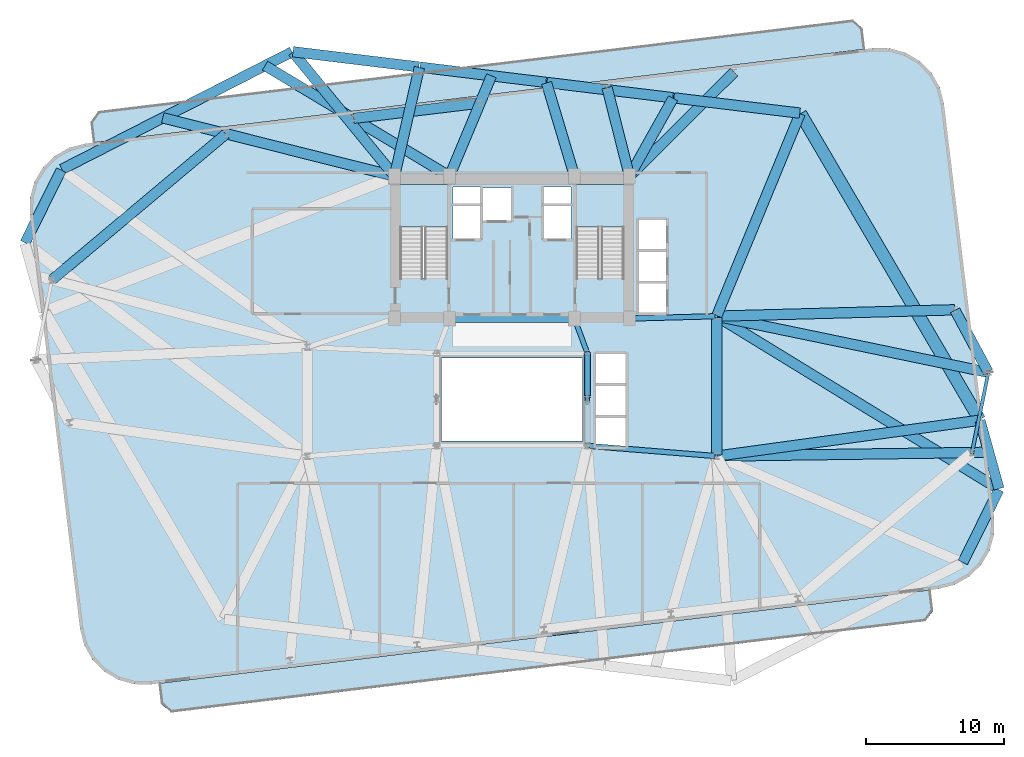
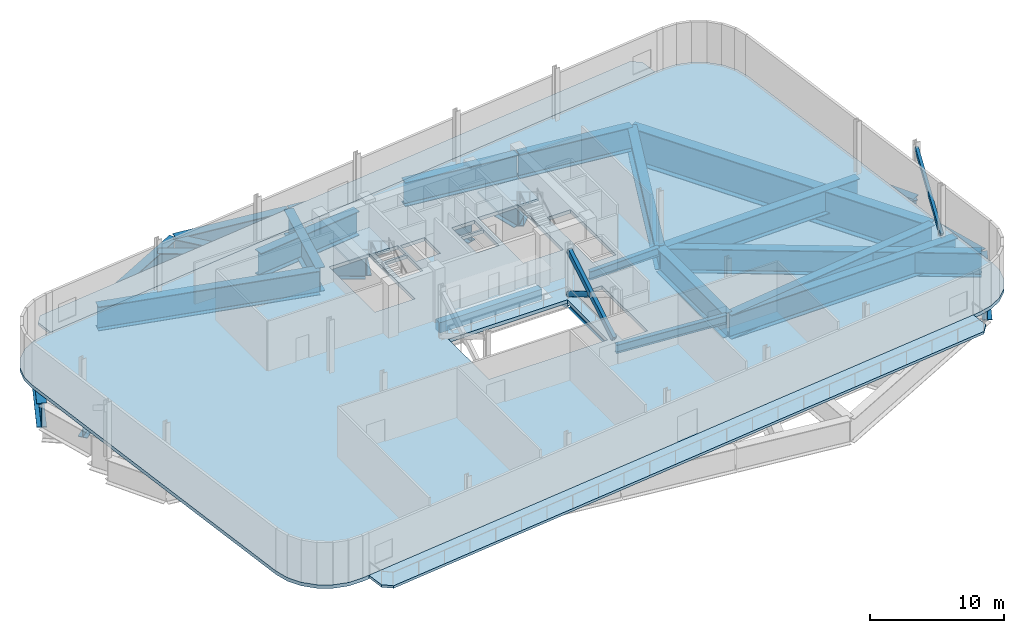
# One storey, part 2 of 11: 33 beams, 5 slabs, 3 members, 2 elements without a shape of their own.
"""IFC4 building model written with IfcOpenShell, lengths in metres."""

import ifcopenshell
import ifcopenshell.guid

model = None  # the IFC model being written
_history = None  # IfcOwnerHistory: only IFC2X3 demands one
_inside = {}  # id of a spatial element -> (the spatial element, [elements in it])
_under = {}  # id of a project, library or spatial element -> (it, [spatial elements below it])
_declared = {}  # id of a project -> (the project, [libraries it declares])
_typed = {}  # id of a type object -> (the type object, [elements of that type])
_made_of = {}  # id of a material, layer set ... -> (it, [elements and type objects made of it])


def new_model(schema):
    """Start an empty IFC model of exactly this schema.

    Asked for "IFC4X3", IfcOpenShell would pick the latest addendum, in which some entities
    have other attributes; the version numbers below select the first issue.
    IFC2X3 requires an IfcOwnerHistory on every rooted entity: one is made here for all.
    """
    global model, _history
    if schema == "IFC4X3":
        model = ifcopenshell.file(schema_version=(4, 3, 0, 0))
    else:
        model = ifcopenshell.file(schema=schema)
    _inside.clear()
    _under.clear()
    _declared.clear()
    _typed.clear()
    _made_of.clear()
    _history = None
    if model.schema == "IFC2X3":
        org = make("IfcOrganization", Name="unknown")
        user = make(
            "IfcPersonAndOrganization",
            ThePerson=make("IfcPerson", FamilyName="unknown"),
            TheOrganization=org,
        )
        app = make(
            "IfcApplication",
            ApplicationDeveloper=org,
            Version="unknown",
            ApplicationFullName="unknown",
            ApplicationIdentifier="unknown",
        )
        _history = make(
            "IfcOwnerHistory",
            OwningUser=user,
            OwningApplication=app,
            ChangeAction="ADDED",
            CreationDate=0,
        )
    return model


def make(cls, **values):
    """One entity of the class cls with the attributes given. An attribute that is None is left unset."""
    return model.create_entity(
        cls, **{name: value for name, value in values.items() if value is not None}
    )


def rooted(cls, **values):
    """An entity with a GlobalId (a new one), such as an element, a storey or a relation."""
    return make(cls, GlobalId=ifcopenshell.guid.new(), OwnerHistory=_history, **values)


def si_unit(unit_type, name, prefix=None):
    """IfcSIUnit, for example si_unit("LENGTHUNIT", "METRE", prefix="MILLI")."""
    return make("IfcSIUnit", UnitType=unit_type, Prefix=prefix, Name=name)


def assignment(units):
    """IfcUnitAssignment: the units of a project."""
    return None if units is None else make("IfcUnitAssignment", Units=units)


def point(xyz):
    """IfcCartesianPoint."""
    return None if xyz is None else make("IfcCartesianPoint", Coordinates=xyz)


def direction(xyz):
    """IfcDirection."""
    return None if xyz is None else make("IfcDirection", DirectionRatios=xyz)


def frame(location, z_axis=None, x_axis=None):
    """IfcAxis2Placement3D, a coordinate frame: its origin and axes. An axis left out is left unset."""
    return make(
        "IfcAxis2Placement3D",
        Location=point(location),
        Axis=direction(z_axis),
        RefDirection=direction(x_axis),
    )


def frame_2d(location, x_axis=None):
    """IfcAxis2Placement2D, a coordinate frame in the plane: its origin and x axis."""
    return make(
        "IfcAxis2Placement2D", Location=point(location), RefDirection=direction(x_axis)
    )


def origin():
    """The frame at (0, 0, 0) with its axes left unset."""
    return frame((0.0, 0.0, 0.0))


def origin_2d():
    """The frame at (0, 0) in the plane with its x axis left unset."""
    return frame_2d((0.0, 0.0))


def place(relative_to, where):
    """IfcLocalPlacement: puts the frame where relative to a parent placement (None: the world)."""
    return make(
        "IfcLocalPlacement", PlacementRelTo=relative_to, RelativePlacement=where
    )


def context(
    kind, dimensions, precision=None, world=None, true_north=None, identifier=None
):
    """IfcGeometricRepresentationContext, for example the 3D "Model" context."""
    return make(
        "IfcGeometricRepresentationContext",
        ContextIdentifier=identifier,
        ContextType=kind,
        CoordinateSpaceDimension=dimensions,
        Precision=precision,
        WorldCoordinateSystem=world,
        TrueNorth=true_north,
    )


def subcontext(parent, identifier, kind, view, scale=None):
    """IfcGeometricRepresentationSubContext, for example "Body" below "Model"."""
    return make(
        "IfcGeometricRepresentationSubContext",
        ContextIdentifier=identifier,
        ContextType=kind,
        ParentContext=parent,
        TargetScale=scale,
        TargetView=view,
    )


def project(units=None, contexts=None):
    """IfcProject with its units and contexts."""
    return rooted(
        "IfcProject",
        Name="project",
        RepresentationContexts=contexts,
        UnitsInContext=assignment(units),
    )


def spatial(cls, under=None, at=None, **own):
    """A site, building, storey or space (cls), placed at a placement, below another one or the project."""
    s = rooted(cls, ObjectPlacement=at, **own)
    if under is not None:
        _under.setdefault(under.id(), (under, []))[1].append(s)
    return s


def polyline(points):
    """IfcPolyline through the points."""
    return make("IfcPolyline", Points=[point(p) for p in points])


def profile(cls, at=None, kind="AREA", **sizes):
    """A parametric profile (cls). Its sizes go by their IFC names, for example OverallWidth=200.0."""
    return make(cls, ProfileType=kind, Position=at, **sizes)


def rectangle(**sizes):
    """IfcRectangleProfileDef."""
    return profile("IfcRectangleProfileDef", **sizes)


def hollow_rectangle(**sizes):
    """IfcRectangleHollowProfileDef."""
    return profile("IfcRectangleHollowProfileDef", **sizes)


def hollow_circle(**sizes):
    """IfcCircleHollowProfileDef."""
    return profile("IfcCircleHollowProfileDef", **sizes)


def i_section(**sizes):
    """IfcIShapeProfileDef."""
    return profile("IfcIShapeProfileDef", **sizes)


def outline(outer, holes=None, kind="AREA"):
    """IfcArbitraryClosedProfileDef: a profile drawn as a closed curve; with holes, ...WithVoids."""
    if holes is None:
        return make("IfcArbitraryClosedProfileDef", ProfileType=kind, OuterCurve=outer)
    return make(
        "IfcArbitraryProfileDefWithVoids",
        ProfileType=kind,
        OuterCurve=outer,
        InnerCurves=holes,
    )


def extrude(swept, where, along, depth):
    """IfcExtrudedAreaSolid: the profile swept, set in the frame where, extruded along a direction by depth."""
    return make(
        "IfcExtrudedAreaSolid",
        SweptArea=swept,
        Position=where,
        ExtrudedDirection=direction(along),
        Depth=depth,
    )


def shape(context_of_items, identifier, shape_type, items):
    """IfcShapeRepresentation: the items that make up one representation, for example the "Body"."""
    return make(
        "IfcShapeRepresentation",
        ContextOfItems=context_of_items,
        RepresentationIdentifier=identifier,
        RepresentationType=shape_type,
        Items=items,
    )


def material(Name=None, Category=None):
    """IfcMaterial."""
    return make("IfcMaterial", Name=Name, Category=Category)


def layer(
    of_material, thickness, ventilated=None, Name=None, Category=None, Priority=None
):
    """IfcMaterialLayer: one layer of a wall or slab, of a material (None: an air gap)."""
    return make(
        "IfcMaterialLayer",
        Material=of_material,
        LayerThickness=thickness,
        IsVentilated=ventilated,
        Name=Name,
        Category=Category,
        Priority=Priority,
    )


def layer_set(layers, Name=None):
    """IfcMaterialLayerSet."""
    return make("IfcMaterialLayerSet", MaterialLayers=layers, LayerSetName=Name)


def material_profile(
    of_material, cross_section, Name=None, Category=None, Priority=None
):
    """IfcMaterialProfile: a cross section and its material."""
    return make(
        "IfcMaterialProfile",
        Name=Name,
        Material=of_material,
        Profile=cross_section,
        Priority=Priority,
        Category=Category,
    )


def profile_set(profiles, Name=None, composite=None):
    """IfcMaterialProfileSet."""
    return make(
        "IfcMaterialProfileSet",
        Name=Name,
        MaterialProfiles=profiles,
        CompositeProfile=composite,
    )


def made_of(thing, what):
    """Note that an element or type object is made of a material, layer set ...; save() writes the relation."""
    if what is not None:
        _made_of.setdefault(what.id(), (what, []))[1].append(thing)
    return thing


def type_object(cls, material=None, **own):
    """A type object (cls), such as IfcWallType, which elements share."""
    return made_of(rooted(cls, **own), material)


def element(
    cls,
    number,
    at=None,
    inside=None,
    cuts=None,
    type_object=None,
    material=None,
    context=None,
    identifier="Body",
    shape_type=None,
    held_by="IfcProductDefinitionShape",
    body=None,
    shapes=None,
    **own,
):
    """One element of the class cls, such as IfcWall. Its Tag is "e" and its number.

    at: its placement. inside: the storey or other place that contains it. cuts: it is an
    opening in that element (IfcRelVoidsElement). A single representation is given by context,
    identifier, shape_type and body (its items); several are given by shapes. held_by: the class
    of the entity that holds the representations. save() writes the other relations.
    """
    e = rooted(cls, Tag="e%d" % number, ObjectPlacement=at, **own)
    if body is not None:
        shapes = [shape(context, identifier, shape_type, body)]
    if shapes is not None:
        e.Representation = make(held_by, Representations=shapes)
    if inside is not None:
        _inside.setdefault(inside.id(), (inside, []))[1].append(e)
    if cuts is not None:
        rooted(
            "IfcRelVoidsElement", RelatingBuildingElement=cuts, RelatedOpeningElement=e
        )
    if type_object is not None:
        _typed.setdefault(type_object.id(), (type_object, []))[1].append(e)
    return made_of(e, material)


def aggregate(whole, parts):
    """IfcRelAggregates: a whole, such as a stair, and the parts it consists of."""
    return rooted("IfcRelAggregates", RelatingObject=whole, RelatedObjects=parts)


def save(model, path):
    """Write the relations noted so far, then the file.

    IfcRelAggregates (storeys below a building ...), IfcRelContainedInSpatialStructure (elements
    in a storey), IfcRelDefinesByType, IfcRelAssociatesMaterial and IfcRelDeclares: one each for
    every whole, place, type object, material and project.
    """
    for whole, parts in _under.values():
        aggregate(whole, parts)
    for where, things in _inside.values():
        rooted(
            "IfcRelContainedInSpatialStructure",
            RelatedElements=things,
            RelatingStructure=where,
        )
    for kind, things in _typed.values():
        rooted("IfcRelDefinesByType", RelatedObjects=things, RelatingType=kind)
    for what, things in _made_of.values():
        rooted("IfcRelAssociatesMaterial", RelatedObjects=things, RelatingMaterial=what)
    for by, libraries in _declared.values():
        rooted("IfcRelDeclares", RelatingContext=by, RelatedDefinitions=libraries)
    model.write(path)


model = new_model("IFC4")

# Units and contexts
model_context = context("Model", 3, precision=1e-05, world=origin(), true_north=direction((0.0, 1.0)))
body_context = subcontext(model_context, "Body", "Model", "MODEL_VIEW")
ifc_project = project(units=[si_unit("LENGTHUNIT", "METRE"), si_unit("AREAUNIT", "SQUARE_METRE"), si_unit("VOLUMEUNIT", "CUBIC_METRE"), si_unit("PLANEANGLEUNIT", "RADIAN"), si_unit("MASSUNIT", "GRAM", prefix="KILO")], contexts=[model_context])

# Site, building, storey
site_placement = place(None, origin())
site = spatial("IfcSite", under=ifc_project, at=site_placement, CompositionType="ELEMENT")
building_placement = place(site_placement, origin())
building = spatial("IfcBuilding", under=site, at=building_placement, Name="Varnelok Gate Tower", CompositionType="ELEMENT")
storey_placement = place(building_placement, frame((0.0, 0.0, 162.39990234375)))
storey = spatial("IfcBuildingStorey", under=building, at=storey_placement, Name="L41", CompositionType="ELEMENT", Elevation=162.39990234375)

# Beams
ifc_material_1 = material(Name="Concrete C60/75", Category="concrete")
ifc_material_profile_1 = material_profile(ifc_material_1, rectangle(XDim=0.60009765625, YDim=0.949951171875, at=origin_2d()), Name="RC950X600")
ifc_profile_set_1 = profile_set([ifc_material_profile_1], Name="Concrete C60/75")
beam_type_1 = type_object("IfcBeamType", Name="BM-LNT-RC950", PredefinedType="LINTEL", material=ifc_profile_set_1)
beam_1_placement = place(storey_placement, frame((34.800048828125, 28.75, -0.794921875), z_axis=(1.0, 0.0, 0.0), x_axis=(0.0, 1.0, 0.0)))
element("IfcBeam", 1, at=beam_1_placement, inside=storey, type_object=beam_type_1, Name="L41 Core-Atrium Spine Beam 7", PredefinedType="LINTEL", context=body_context, shape_type="SweptSolid", body=[
    extrude(rectangle(XDim=0.60009765625, YDim=0.949951171875, at=origin_2d()), origin(), (0.0, 0.0, 1.0), 8.800048828125),
])
ifc_material_2 = material(Name="Structural Steel ASTM A992 Grade 50", Category="steel")
ifc_material_profile_2 = material_profile(ifc_material_2, i_section(OverallWidth=0.35498046875, OverallDepth=0.696044921875, WebThickness=0.015380859375, FlangeThickness=0.02490234375, FilletRadius=0.02001953125, at=origin_2d()), Name="W27X146")
ifc_profile_set_2 = profile_set([ifc_material_profile_2], Name="Structural Steel ASTM A992 Grade 50")
beam_type_2 = type_object("IfcBeamType", Name="BM-PRI-W27X146", PredefinedType="BEAM", material=ifc_profile_set_2)
beam_2_placement = place(storey_placement, frame((44.608154296875, 26.362548828125, -0.66796875), z_axis=(-0.348719329408, 0.937227202602, 0.0), x_axis=(-0.937227202602, -0.348719329408, 0.0)))
element("IfcBeam", 2, at=beam_2_placement, inside=storey, type_object=beam_type_2, Name="L41 Core-Atrium Spine Beam 13", PredefinedType="BEAM", context=body_context, shape_type="SweptSolid", body=[
    extrude(i_section(OverallWidth=0.35498046875, OverallDepth=0.696044921875, WebThickness=0.015380859375, FlangeThickness=0.02490234375, FilletRadius=0.02001953125, at=origin_2d()), origin(), (0.0, 0.0, 1.0), 2.42724609375),
])
ifc_material_profile_3 = material_profile(ifc_material_2, i_section(OverallWidth=0.381103515625, OverallDepth=0.77294921875, WebThickness=0.0166015625, FlangeThickness=0.027099609375, FilletRadius=0.02197265625, at=origin_2d()), Name="W30X173")
ifc_profile_set_3 = profile_set([ifc_material_profile_3], Name="Structural Steel ASTM A992 Grade 50")
beam_type_3 = type_object("IfcBeamType", Name="BM-PRI-W30X173", PredefinedType="BEAM", material=ifc_profile_set_3)
beam_3_placement = place(storey_placement, frame((44.76953125, 19.540283203125, -0.706298828125), z_axis=(0.996799206292, -0.07994587128, 0.0), x_axis=(0.07994587128, 0.996799206292, 0.0)))
element("IfcBeam", 3, at=beam_3_placement, inside=storey, type_object=beam_type_3, Name="L41 Core-Atrium Spine Beam 18", PredefinedType="BEAM", context=body_context, shape_type="SweptSolid", body=[
    extrude(i_section(OverallWidth=0.381103515625, OverallDepth=0.77294921875, WebThickness=0.0166015625, FlangeThickness=0.027099609375, FilletRadius=0.02197265625, at=origin_2d()), origin(), (0.0, 0.0, 1.0), 9.14013671875),
])
beam_4_placement = place(storey_placement, frame((47.820068359375, 28.753173828125, -0.706298828125), z_axis=(0.999635880609, 0.026983443053, 0.0), x_axis=(-0.026983443053, 0.999635880609, 0.0)))
element("IfcBeam", 4, at=beam_4_placement, inside=storey, type_object=beam_type_3, Name="L41 Core-Atrium Spine Beam 19", PredefinedType="BEAM", context=body_context, shape_type="SweptSolid", body=[
    extrude(i_section(OverallWidth=0.381103515625, OverallDepth=0.77294921875, WebThickness=0.0166015625, FlangeThickness=0.027099609375, FilletRadius=0.02197265625, at=origin_2d()), origin(), (0.0, 0.0, 1.0), 6.06201171875),
])
ifc_material_profile_4 = material_profile(ifc_material_2, i_section(OverallWidth=0.323974609375, OverallDepth=0.611083984375, WebThickness=0.0126953125, FlangeThickness=0.01904296875, FilletRadius=0.01806640625, at=origin_2d()), Name="W24X104")
ifc_profile_set_4 = profile_set([ifc_material_profile_4], Name="Structural Steel ASTM A992 Grade 50")
beam_type_4 = type_object("IfcBeamType", Name="BM-SPN-W24X104", PredefinedType="SPANDREL", material=ifc_profile_set_4)
beam_5_placement = place(storey_placement, frame((44.64990234375, 19.669921875, -0.62548828125), z_axis=(0.0, 1.0, 0.0), x_axis=(-1.0, 0.0, 0.0)))
element("IfcBeam", 5, at=beam_5_placement, inside=storey, type_object=beam_type_4, Name="L41 Core-Atrium Spine Beam 11", PredefinedType="SPANDREL", context=body_context, shape_type="SweptSolid", body=[
    extrude(i_section(OverallWidth=0.323974609375, OverallDepth=0.611083984375, WebThickness=0.0126953125, FlangeThickness=0.01904296875, FilletRadius=0.01806640625, at=origin_2d()), origin(), (0.0, 0.0, 1.0), 6.4599609375),
])
ifc_material_3 = material(Name="Structural Steel ASTM A572 Grade 50", Category="steel")
ifc_material_profile_5 = material_profile(ifc_material_3, i_section(OverallWidth=0.75, OverallDepth=2.199951171875, WebThickness=0.031982421875, FlangeThickness=0.06005859375, FilletRadius=0.028076171875, at=origin_2d()), Name="PG2200X750")
ifc_profile_set_5 = profile_set([ifc_material_profile_5], Name="Structural Steel ASTM A572 Grade 50")
beam_type_5 = type_object("IfcBeamType", Name="BM-TR-PG2200", PredefinedType="BEAM", material=ifc_profile_set_5)
beam_6_placement = place(storey_placement, frame((54.0, 18.8798828125, -1.419921875), z_axis=(0.0, 1.0, 0.0), x_axis=(-1.0, 0.0, 0.0)))
element("IfcBeam", 6, at=beam_6_placement, inside=storey, type_object=beam_type_5, Name="L41 Wing Spine Transfer Header E", PredefinedType="BEAM", context=body_context, shape_type="SweptSolid", body=[
    extrude(i_section(OverallWidth=0.75, OverallDepth=2.199951171875, WebThickness=0.031982421875, FlangeThickness=0.06005859375, FilletRadius=0.028076171875, at=origin_2d()), origin(), (0.0, 0.0, 1.0), 9.960205078125),
])
beam_7_placement = place(storey_placement, frame((71.810791015625, 11.110107421875, -1.419921875), z_axis=(0.444133044846, 0.895960846509, 0.0), x_axis=(-0.895960846509, 0.444133044846, 0.0)))
element("IfcBeam", 7, at=beam_7_placement, inside=storey, type_object=beam_type_5, Name="L41 Transfer Support Ring Girder 6", PredefinedType="BEAM", context=body_context, shape_type="SweptSolid", body=[
    extrude(i_section(OverallWidth=0.75, OverallDepth=2.199951171875, WebThickness=0.031982421875, FlangeThickness=0.06005859375, FilletRadius=0.028076171875, at=origin_2d()), origin(), (0.0, 0.0, 1.0), 5.86962890625),
])
beam_8_placement = place(storey_placement, frame((74.4248046875, 16.443359375, -1.419921875), z_axis=(-0.268346906402, 0.963322343676, 0.0), x_axis=(-0.963322343676, -0.268346906402, 0.0)))
element("IfcBeam", 8, at=beam_8_placement, inside=storey, type_object=beam_type_5, Name="L41 Transfer Support Ring Girder 7", PredefinedType="BEAM", context=body_context, shape_type="SweptSolid", body=[
    extrude(i_section(OverallWidth=0.75, OverallDepth=2.199951171875, WebThickness=0.031982421875, FlangeThickness=0.06005859375, FilletRadius=0.028076171875, at=origin_2d()), origin(), (0.0, 0.0, 1.0), 5.10400390625),
])
beam_9_placement = place(storey_placement, frame((60.0146484375, 43.608154296875, -1.419921875), z_axis=(-0.992733011019, 0.120337728218, 0.0), x_axis=(-0.120337728218, -0.992733011019, 0.0)))
element("IfcBeam", 9, at=beam_9_placement, inside=storey, type_object=beam_type_5, Name="L41 Transfer Support Ring Girder 9", PredefinedType="BEAM", context=body_context, shape_type="SweptSolid", body=[
    extrude(i_section(OverallWidth=0.75, OverallDepth=2.199951171875, WebThickness=0.031982421875, FlangeThickness=0.06005859375, FilletRadius=0.028076171875, at=origin_2d()), origin(), (0.0, 0.0, 1.0), 9.170166015625),
])
for number, where, z_axis, x_axis, name in (
    (10, (50.831787109375, 44.72119140625, -1.419921875), (-0.992729444446, 0.120367147219, 0.0), (-0.120367147219, -0.992729444446, 0.0), "L41 Transfer Support Ring Girder 10"),
    (11, (41.64892578125, 45.83447265625, -1.419921875), (-0.992732625466, 0.120340908818, 0.0), (-0.120340908818, -0.992732625466, 0.0), "L41 Transfer Support Ring Girder 11"),
):
    element("IfcBeam", number, at=place(storey_placement, frame(where, z_axis=z_axis, x_axis=x_axis)), inside=storey, type_object=beam_type_5, Name=name, PredefinedType="BEAM", context=body_context, shape_type="SweptSolid", body=[
        extrude(i_section(OverallWidth=0.75, OverallDepth=2.199951171875, WebThickness=0.031982421875, FlangeThickness=0.06005859375, FilletRadius=0.028076171875, at=origin_2d()), origin(), (0.0, 0.0, 1.0), 9.169921875),
    ])
beam_10_placement = place(storey_placement, frame((32.46630859375, 46.94775390625, -1.419921875), z_axis=(-0.992733011019, 0.120337728218, 0.0), x_axis=(-0.120337728218, -0.992733011019, 0.0)))
element("IfcBeam", 12, at=beam_10_placement, inside=storey, type_object=beam_type_5, Name="L41 Transfer Support Ring Girder 12", PredefinedType="BEAM", context=body_context, shape_type="SweptSolid", body=[
    extrude(i_section(OverallWidth=0.75, OverallDepth=2.199951171875, WebThickness=0.031982421875, FlangeThickness=0.06005859375, FilletRadius=0.028076171875, at=origin_2d()), origin(), (0.0, 0.0, 1.0), 9.170166015625),
])
beam_11_placement = place(storey_placement, frame((23.28759765625, 48.037841796875, -1.419921875), z_axis=(-0.890728514635, -0.454535711706, 0.0), x_axis=(0.454535711706, -0.890728514635, 0.0)))
element("IfcBeam", 13, at=beam_11_placement, inside=storey, type_object=beam_type_5, Name="L41 Transfer Support Ring Girder 13", PredefinedType="BEAM", context=body_context, shape_type="SweptSolid", body=[
    extrude(i_section(OverallWidth=0.75, OverallDepth=2.199951171875, WebThickness=0.031982421875, FlangeThickness=0.06005859375, FilletRadius=0.028076171875, at=origin_2d()), origin(), (0.0, 0.0, 1.0), 18.68701171875),
])
beam_12_placement = place(storey_placement, frame((6.58935546875, 39.489990234375, -1.419921875), z_axis=(-0.444166432753, -0.895944295152, 0.0), x_axis=(0.895944295152, -0.444166432753, 0.0)))
element("IfcBeam", 14, at=beam_12_placement, inside=storey, type_object=beam_type_5, Name="L41 Transfer Support Ring Girder 14", PredefinedType="BEAM", context=body_context, shape_type="SweptSolid", body=[
    extrude(i_section(OverallWidth=0.75, OverallDepth=2.199951171875, WebThickness=0.031982421875, FlangeThickness=0.06005859375, FilletRadius=0.028076171875, at=origin_2d()), origin(), (0.0, 0.0, 1.0), 5.869873046875),
])
beam_13_placement = place(storey_placement, frame((54.0341796875, 28.899169921875, -1.419921875), z_axis=(0.852785430649, -0.522261437666, 0.0), x_axis=(0.522261437666, 0.852785430649, 0.0)))
element("IfcBeam", 15, at=beam_13_placement, inside=storey, type_object=beam_type_5, Name="L41 Radial Transfer Main Girder 7", PredefinedType="BEAM", context=body_context, shape_type="SweptSolid", body=[
    extrude(i_section(OverallWidth=0.75, OverallDepth=2.199951171875, WebThickness=0.031982421875, FlangeThickness=0.06005859375, FilletRadius=0.028076171875, at=origin_2d()), origin(), (0.0, 0.0, 1.0), 23.88330078125),
])
beam_14_placement = place(storey_placement, frame((54.03955078125, 18.805419921875, -1.419921875), z_axis=(0.990818211395, 0.135200857867, 0.0), x_axis=(-0.135200857867, 0.990818211395, 0.0)))
element("IfcBeam", 16, at=beam_14_placement, inside=storey, type_object=beam_type_5, Name="L41 Radial Transfer Main Girder 8", PredefinedType="BEAM", context=body_context, shape_type="SweptSolid", body=[
    extrude(i_section(OverallWidth=0.75, OverallDepth=2.199951171875, WebThickness=0.031982421875, FlangeThickness=0.06005859375, FilletRadius=0.028076171875, at=origin_2d()), origin(), (0.0, 0.0, 1.0), 19.14111328125),
])
beam_15_placement = place(storey_placement, frame((54.01513671875, 28.95703125, -1.419921875), z_axis=(0.381198890405, 0.924493053491, 0.0), x_axis=(-0.924493053491, 0.381198890405, 0.0)))
element("IfcBeam", 17, at=beam_15_placement, inside=storey, type_object=beam_type_5, Name="L41 Radial Transfer Main Girder 9", PredefinedType="BEAM", context=body_context, shape_type="SweptSolid", body=[
    extrude(i_section(OverallWidth=0.75, OverallDepth=2.199951171875, WebThickness=0.031982421875, FlangeThickness=0.06005859375, FilletRadius=0.028076171875, at=origin_2d()), origin(), (0.0, 0.0, 1.0), 15.802490234375),
])
beam_16_placement = place(storey_placement, frame((47.719482421875, 39.0849609375, -1.419921875), z_axis=(0.488416740085, 0.872610501887, 0.0), x_axis=(-0.872610501887, 0.488416740085, 0.0)))
element("IfcBeam", 18, at=beam_16_placement, inside=storey, type_object=beam_type_5, Name="L41 Radial Transfer Main Girder 10", PredefinedType="BEAM", context=body_context, shape_type="SweptSolid", body=[
    extrude(i_section(OverallWidth=0.75, OverallDepth=2.199951171875, WebThickness=0.031982421875, FlangeThickness=0.06005859375, FilletRadius=0.028076171875, at=origin_2d()), origin(), (0.0, 0.0, 1.0), 6.413818359375),
])
beam_17_placement = place(storey_placement, frame((43.70849609375, 39.08837890625, -1.419921875), z_axis=(-0.287002171344, 0.95792993149, 0.0), x_axis=(-0.95792993149, -0.287002171344, 0.0)))
element("IfcBeam", 19, at=beam_17_placement, inside=storey, type_object=beam_type_5, Name="L41 Radial Transfer Main Girder 11", PredefinedType="BEAM", context=body_context, shape_type="SweptSolid", body=[
    extrude(i_section(OverallWidth=0.75, OverallDepth=2.199951171875, WebThickness=0.031982421875, FlangeThickness=0.06005859375, FilletRadius=0.028076171875, at=origin_2d()), origin(), (0.0, 0.0, 1.0), 6.99755859375),
])
beam_18_placement = place(storey_placement, frame((30.708984375, 39.089111328125, -1.419921875), z_axis=(0.223046409555, 0.974807826797, 0.0), x_axis=(-0.974807826797, 0.223046409555, 0.0)))
element("IfcBeam", 20, at=beam_18_placement, inside=storey, type_object=beam_type_5, Name="L41 Radial Transfer Main Girder 12", PredefinedType="BEAM", context=body_context, shape_type="SweptSolid", body=[
    extrude(i_section(OverallWidth=0.75, OverallDepth=2.199951171875, WebThickness=0.031982421875, FlangeThickness=0.06005859375, FilletRadius=0.028076171875, at=origin_2d()), origin(), (0.0, 0.0, 1.0), 8.0166015625),
])
beam_19_placement = place(storey_placement, frame((30.6748046875, 39.080810546875, -1.419921875), z_axis=(-0.633668896641, 0.773604375265, 0.0), x_axis=(-0.773604375265, -0.633668896641, 0.0)))
element("IfcBeam", 21, at=beam_19_placement, inside=storey, type_object=beam_type_5, Name="L41 Radial Transfer Main Girder 13", PredefinedType="BEAM", context=body_context, shape_type="SweptSolid", body=[
    extrude(i_section(OverallWidth=0.75, OverallDepth=2.199951171875, WebThickness=0.031982421875, FlangeThickness=0.06005859375, FilletRadius=0.028076171875, at=origin_2d()), origin(), (0.0, 0.0, 1.0), 11.56201171875),
])
beam_20_placement = place(storey_placement, frame((54.10009765625, 18.801513671875, -1.419921875), z_axis=(0.999901568099, 0.014030470873, 0.0), x_axis=(-0.014030470873, 0.999901568099, 0.0)))
element("IfcBeam", 22, at=beam_20_placement, inside=storey, type_object=beam_type_5, Name="L41 Column Transfer Carrier Girder 6", PredefinedType="BEAM", context=body_context, shape_type="SweptSolid", body=[
    extrude(i_section(OverallWidth=0.75, OverallDepth=2.199951171875, WebThickness=0.031982421875, FlangeThickness=0.06005859375, FilletRadius=0.028076171875, at=origin_2d()), origin(), (0.0, 0.0, 1.0), 19.59326171875),
])
beam_21_placement = place(storey_placement, frame((54.097900390625, 28.899658203125, -1.419921875), z_axis=(0.979255651921, -0.202628646001, 0.0), x_axis=(0.202628646001, 0.979255651921, 0.0)))
element("IfcBeam", 23, at=beam_21_placement, inside=storey, type_object=beam_type_5, Name="L41 Column Transfer Carrier Girder 7", PredefinedType="BEAM", context=body_context, shape_type="SweptSolid", body=[
    extrude(i_section(OverallWidth=0.75, OverallDepth=2.199951171875, WebThickness=0.031982421875, FlangeThickness=0.06005859375, FilletRadius=0.028076171875, at=origin_2d()), origin(), (0.0, 0.0, 1.0), 19.970703125),
])
beam_22_placement = place(storey_placement, frame((54.10009765625, 28.922607421875, -1.419921875), z_axis=(0.999637586523, 0.026920171088, 0.0), x_axis=(-0.026920171088, 0.999637586523, 0.0)))
element("IfcBeam", 24, at=beam_22_placement, inside=storey, type_object=beam_type_5, Name="L41 Column Transfer Carrier Girder 8", PredefinedType="BEAM", context=body_context, shape_type="SweptSolid", body=[
    extrude(i_section(OverallWidth=0.75, OverallDepth=2.199951171875, WebThickness=0.031982421875, FlangeThickness=0.06005859375, FilletRadius=0.028076171875, at=origin_2d()), origin(), (0.0, 0.0, 1.0), 17.13134765625),
])
beam_23_placement = place(storey_placement, frame((47.77099609375, 39.12060546875, -1.419921875), z_axis=(0.709000209118, 0.70520826957, 0.0), x_axis=(-0.70520826957, 0.709000209118, 0.0)))
element("IfcBeam", 25, at=beam_23_placement, inside=storey, type_object=beam_type_5, Name="L41 Column Transfer Carrier Girder 9", PredefinedType="BEAM", context=body_context, shape_type="SweptSolid", body=[
    extrude(i_section(OverallWidth=0.75, OverallDepth=2.199951171875, WebThickness=0.031982421875, FlangeThickness=0.06005859375, FilletRadius=0.028076171875, at=origin_2d()), origin(), (0.0, 0.0, 1.0), 10.55908203125),
])
beam_24_placement = place(storey_placement, frame((47.67529296875, 39.14697265625, -1.419921875), z_axis=(-0.245985998188, 0.969273381815, 0.0), x_axis=(-0.969273381815, -0.245985998188, 0.0)))
element("IfcBeam", 26, at=beam_24_placement, inside=storey, type_object=beam_type_5, Name="L41 Column Transfer Carrier Girder 10", PredefinedType="BEAM", context=body_context, shape_type="SweptSolid", body=[
    extrude(i_section(OverallWidth=0.75, OverallDepth=2.199951171875, WebThickness=0.031982421875, FlangeThickness=0.06005859375, FilletRadius=0.028076171875, at=origin_2d()), origin(), (0.0, 0.0, 1.0), 6.5068359375),
])
beam_25_placement = place(storey_placement, frame((34.718505859375, 39.142333984375, -1.419921875), z_axis=(0.3857395151, 0.922607731645, 0.0), x_axis=(-0.922607731645, 0.3857395151, 0.0)))
element("IfcBeam", 27, at=beam_25_placement, inside=storey, type_object=beam_type_5, Name="L41 Column Transfer Carrier Girder 11", PredefinedType="BEAM", context=body_context, shape_type="SweptSolid", body=[
    extrude(i_section(OverallWidth=0.75, OverallDepth=2.199951171875, WebThickness=0.031982421875, FlangeThickness=0.06005859375, FilletRadius=0.028076171875, at=origin_2d()), origin(), (0.0, 0.0, 1.0), 7.770263671875),
])
beam_26_placement = place(storey_placement, frame((34.59423828125, 39.101318359375, -1.419921875), z_axis=(-0.857767445116, 0.514037946166, 0.0), x_axis=(-0.514037946166, -0.857767445116, 0.0)))
element("IfcBeam", 28, at=beam_26_placement, inside=storey, type_object=beam_type_5, Name="L41 Column Transfer Carrier Girder 12", PredefinedType="BEAM", context=body_context, shape_type="SweptSolid", body=[
    extrude(i_section(OverallWidth=0.75, OverallDepth=2.199951171875, WebThickness=0.031982421875, FlangeThickness=0.06005859375, FilletRadius=0.028076171875, at=origin_2d()), origin(), (0.0, 0.0, 1.0), 15.451904296875),
])
beam_27_placement = place(storey_placement, frame((30.60302734375, 39.074462890625, -1.419921875), z_axis=(-0.969753430664, 0.244086631578, 0.0), x_axis=(-0.244086631578, -0.969753430664, 0.0)))
element("IfcBeam", 29, at=beam_27_placement, inside=storey, type_object=beam_type_5, Name="L41 Column Transfer Carrier Girder 13", PredefinedType="BEAM", context=body_context, shape_type="SweptSolid", body=[
    extrude(i_section(OverallWidth=0.75, OverallDepth=2.199951171875, WebThickness=0.031982421875, FlangeThickness=0.06005859375, FilletRadius=0.028076171875, at=origin_2d()), origin(), (0.0, 0.0, 1.0), 17.181884765625),
])
beam_28_placement = place(storey_placement, frame((73.63525390625, 24.888427734375, -1.419921875), z_axis=(-0.472505212111, 0.881327875724, 0.0), x_axis=(-0.881327875724, -0.472505212111, 0.0)))
element("IfcBeam", 30, at=beam_28_placement, inside=storey, type_object=beam_type_5, Name="L41 Upper Perimeter Transfer Ring 7", PredefinedType="BEAM", context=body_context, shape_type="SweptSolid", body=[
    extrude(i_section(OverallWidth=0.75, OverallDepth=2.199951171875, WebThickness=0.031982421875, FlangeThickness=0.06005859375, FilletRadius=0.028076171875, at=origin_2d()), origin(), (0.0, 0.0, 1.0), 5.060546875),
])
beam_29_placement = place(storey_placement, frame((36.85205078125, 44.335693359375, -1.419921875), z_axis=(-0.992732625466, -0.120340908818, 0.0), x_axis=(0.120340908818, -0.992732625466, 0.0)))
element("IfcBeam", 31, at=beam_29_placement, inside=storey, type_object=beam_type_5, Name="L41 Upper Perimeter Transfer Ring 11", PredefinedType="BEAM", context=body_context, shape_type="SweptSolid", body=[
    extrude(i_section(OverallWidth=0.75, OverallDepth=2.199951171875, WebThickness=0.031982421875, FlangeThickness=0.06005859375, FilletRadius=0.028076171875, at=origin_2d()), origin(), (0.0, 0.0, 1.0), 9.169921875),
])
beam_30_placement = place(storey_placement, frame((18.49560546875, 42.08837890625, -1.419921875), z_axis=(-0.766104846456, -0.642715616923, 0.0), x_axis=(0.642715616923, -0.766104846456, 0.0)))
element("IfcBeam", 32, at=beam_30_placement, inside=storey, type_object=beam_type_5, Name="L41 Upper Perimeter Transfer Ring 13", PredefinedType="BEAM", context=body_context, shape_type="SweptSolid", body=[
    extrude(i_section(OverallWidth=0.75, OverallDepth=2.199951171875, WebThickness=0.031982421875, FlangeThickness=0.06005859375, FilletRadius=0.028076171875, at=origin_2d()), origin(), (0.0, 0.0, 1.0), 16.37109375),
])
ifc_material_profile_6 = material_profile(ifc_material_3, i_section(OverallWidth=0.89990234375, OverallDepth=3.199951171875, WebThickness=0.0400390625, FlangeThickness=0.074951171875, FilletRadius=0.030029296875, at=origin_2d()), Name="PG3200X900")
ifc_profile_set_6 = profile_set([ifc_material_profile_6], Name="Structural Steel ASTM A572 Grade 50")
beam_type_6 = type_object("IfcBeamType", Name="BM-TR-PG3200", PredefinedType="BEAM", material=ifc_profile_set_6)
beam_31_placement = place(storey_placement, frame((73.0244140625, 21.43310546875, -1.919921875), z_axis=(-0.504959731698, 0.863142902053, 0.0), x_axis=(-0.863142902053, -0.504959731698, 0.0)))
element("IfcBeam", 33, at=beam_31_placement, inside=storey, type_object=beam_type_6, Name="L41 Transfer Support Ring Girder 8", PredefinedType="BEAM", context=body_context, shape_type="SweptSolid", body=[
    extrude(i_section(OverallWidth=0.89990234375, OverallDepth=3.199951171875, WebThickness=0.0400390625, FlangeThickness=0.074951171875, FilletRadius=0.030029296875, at=origin_2d()), origin(), (0.0, 0.0, 1.0), 25.6455078125),
])

# Members
ifc_material_4 = material(Name="Structural Steel ASTM A500 Grade C", Category="steel")
ifc_material_profile_7 = material_profile(ifc_material_4, hollow_rectangle(XDim=0.25, YDim=0.39990234375, WallThickness=0.01611328125, at=origin_2d()), Name="HSS400X250X16")
ifc_profile_set_7 = profile_set([ifc_material_profile_7], Name="Structural Steel ASTM A500 Grade C")
member_type_1 = type_object("IfcMemberType", Name="MEM-BLT-BRACE1", PredefinedType="BRACE", material=ifc_profile_set_7)
member_1_placement = place(storey_placement, frame((72.476806640625, 19.059326171875, 0.2001953125), z_axis=(0.16495690087, 0.81165088421, 0.56036779263), x_axis=(-0.9799660421, 0.199164646287, 0.0)))
element("IfcMember", 34, at=member_1_placement, inside=storey, type_object=member_type_1, Name="L41 Belt Truss Diagonal Brace 1", PredefinedType="BRACE", context=body_context, shape_type="SweptSolid", body=[
    extrude(hollow_rectangle(XDim=0.25, YDim=0.39990234375, WallThickness=0.01611328125, at=origin_2d()), origin(), (0.0, 0.0, 1.0), 7.13818359375),
])
ifc_material_profile_8 = material_profile(ifc_material_4, hollow_rectangle(XDim=0.300048828125, YDim=0.5, WallThickness=0.02001953125, at=origin_2d()), Name="HSS500X300X20")
ifc_profile_set_8 = profile_set([ifc_material_profile_8], Name="Structural Steel ASTM A500 Grade C")
member_type_2 = type_object("IfcMemberType", Name="MEM-OUT-BRACE1", PredefinedType="BRACE", material=ifc_profile_set_8)
member_2_placement = place(storey_placement, frame((44.64990234375, 19.550048828125, 0.2001953125), z_axis=(0.0, 0.858619967627, 0.512612671705), x_axis=(-1.0, 0.0, 0.0)))
element("IfcMember", 35, at=member_2_placement, inside=storey, type_object=member_type_2, Name="L41 Plant Outrigger Diagonal 2", PredefinedType="BRACE", context=body_context, shape_type="SweptSolid", body=[
    extrude(hollow_rectangle(XDim=0.300048828125, YDim=0.5, WallThickness=0.02001953125, at=origin_2d()), origin(), (0.0, 0.0, 1.0), 7.80322265625),
])
ifc_material_profile_9 = material_profile(ifc_material_4, hollow_circle(Radius=0.228515625, WallThickness=0.02001953125, at=origin_2d()), Name="CHS457X20")
ifc_profile_set_9 = profile_set([ifc_material_profile_9], Name="Structural Steel ASTM A500 Grade C")
member_type_3 = type_object("IfcMemberType", Name="MEM-TRUSS-DIAG", PredefinedType="BRACE", material=ifc_profile_set_9)
member_3_placement = place(storey_placement, frame((44.64990234375, 26.25, 0.2001953125), z_axis=(0.0, -0.858625968147, 0.512602620773), x_axis=(1.0, 0.0, 0.0)))
element("IfcMember", 36, at=member_3_placement, inside=storey, type_object=member_type_3, Name="L41 Plant Outrigger Counter-Diagonal 2A", PredefinedType="BRACE", context=body_context, shape_type="SweptSolid", body=[
    extrude(hollow_circle(Radius=0.228515625, WallThickness=0.02001953125, at=origin_2d()), origin(), (0.0, 0.0, 1.0), 3.681640625),
])

# Stair, slab
ifc_material_5 = material(Name="Concrete C50/60", Category="concrete")
stair_type = type_object("IfcStairType", Name="STR-CORE-1650", PredefinedType="HALF_TURN_STAIR", material=ifc_material_5)
stair_1_placement = place(storey_placement, origin())
stair_1 = element("IfcStair", 37, at=stair_1_placement, inside=storey, type_object=stair_type, Name="L41 Exit Stair ST-1", PredefinedType="HALF_TURN_STAIR")
ifc_material_6 = material(Name="Concrete C45/55", Category="concrete")
ifc_layer_1 = layer(ifc_material_6, 0.199951171875)
ifc_layer_set_1 = layer_set([ifc_layer_1], Name="Concrete C45/55")
slab_type_1 = type_object("IfcSlabType", Name="SLB-LAND-200", PredefinedType="LANDING", material=ifc_layer_set_1)
slab_1_placement = place(storey_placement, frame((0.0, 0.0, 2.2001953125)))
slab_1 = element("IfcSlab", 38, at=slab_1_placement, type_object=slab_type_1, Name="ST-1 landing 1", PredefinedType="LANDING", context=body_context, shape_type="SweptSolid", body=[
    extrude(outline(polyline([(34.550048828125, 35.3701171875), (34.550048828125, 38.449951171875), (31.10009765625, 38.449951171875), (31.10009765625, 35.3701171875), (34.550048828125, 35.3701171875)])), origin(), (0.0, 0.0, 1.0), 0.199951171875),
])
aggregate(stair_1, [slab_1])

stair_2_placement = place(storey_placement, origin())
stair_2 = element("IfcStair", 39, at=stair_2_placement, inside=storey, type_object=stair_type, Name="L41 Exit Stair ST-2", PredefinedType="HALF_TURN_STAIR")
slab_2_placement = place(storey_placement, frame((0.0, 0.0, 2.2001953125)))
slab_2 = element("IfcSlab", 40, at=slab_2_placement, type_object=slab_type_1, Name="ST-2 landing 1", PredefinedType="LANDING", context=body_context, shape_type="SweptSolid", body=[
    extrude(outline(polyline([(47.300048828125, 35.3701171875), (47.300048828125, 38.449951171875), (43.85009765625, 38.449951171875), (43.85009765625, 35.3701171875), (47.300048828125, 35.3701171875)])), origin(), (0.0, 0.0, 1.0), 0.199951171875),
])
aggregate(stair_2, [slab_2])

# Slabs
ifc_layer_2 = layer(ifc_material_6, 0.22998046875)
ifc_layer_set_2 = layer_set([ifc_layer_2], Name="Concrete C45/55")
slab_type_2 = type_object("IfcSlabType", Name="SLB-SKYG-230", PredefinedType="FLOOR", material=ifc_layer_set_2)
slab_3_placement = place(storey_placement, frame((0.0, 0.0, -0.22998046875)))
element("IfcSlab", 41, at=slab_3_placement, inside=storey, type_object=slab_type_2, Name="L41 South Planted Sky Garden Terrace", PredefinedType="FLOOR", context=body_context, shape_type="SweptSolid", body=[
    extrude(outline(polyline([(13.861572265625, 0.82275390625), (14.585205078125, 0.255615234375), (69.0859375, 6.862548828125), (69.653076171875, 7.586181640625), (69.466552734375, 9.125), (13.675048828125, 2.361572265625), (13.861572265625, 0.82275390625)])), origin(), (0.0, 0.0, 1.0), 0.22998046875),
])
slab_4_placement = place(storey_placement, frame((0.0, 0.0, -0.22998046875)))
element("IfcSlab", 42, at=slab_4_placement, inside=storey, type_object=slab_type_2, Name="L41 North Planted Sky Garden Terrace", PredefinedType="FLOOR", context=body_context, shape_type="SweptSolid", body=[
    extrude(outline(polyline([(8.933349609375, 41.47509765625), (64.72509765625, 48.238525390625), (64.538330078125, 49.777099609375), (63.81494140625, 50.34423828125), (9.31396484375, 43.7373046875), (8.746826171875, 43.013916015625), (8.933349609375, 41.47509765625)])), origin(), (0.0, 0.0, 1.0), 0.22998046875),
])
ifc_layer_3 = layer(ifc_material_1, 0.320068359375)
ifc_layer_set_3 = layer_set([ifc_layer_3], Name="Concrete C60/75")
slab_type_3 = type_object("IfcSlabType", Name="SLB-TRN-320", PredefinedType="FLOOR", material=ifc_layer_set_3)
slab_5_placement = place(storey_placement, frame((0.0, 0.0, -0.31982421875)))
element("IfcSlab", 43, at=slab_5_placement, inside=storey, type_object=slab_type_3, Name="L41 Structural Floor Slab", PredefinedType="FLOOR", context=body_context, shape_type="SweptSolid", body=[
    extrude(outline(polyline([(7.959228515625, 6.30224609375), (8.258056640625, 5.13916015625), (8.847900390625, 4.093017578125), (9.688232421875, 3.2353515625), (10.721923828125, 2.624267578125), (11.878662109375, 2.301513671875), (13.079345703125, 2.289306640625), (70.062255859375, 9.197021484375), (71.225341796875, 9.495849609375), (72.271240234375, 10.085693359375), (73.129150390625, 10.926025390625), (73.740234375, 11.959716796875), (74.06298828125, 13.116455078125), (74.0751953125, 14.317138671875), (70.44091796875, 44.297607421875), (70.141845703125, 45.460693359375), (69.55224609375, 46.5068359375), (68.7119140625, 47.36474609375), (67.677978515625, 47.9755859375), (66.521484375, 48.29833984375), (65.320556640625, 48.310791015625), (8.337890625, 41.40283203125), (7.1748046875, 41.10400390625), (6.128662109375, 40.514404296875), (5.27099609375, 39.674072265625), (4.659912109375, 38.64013671875), (4.337158203125, 37.483642578125), (4.32470703125, 36.28271484375), (7.959228515625, 6.30224609375)]), holes=[polyline([(34.550048828125, 31.679931640625), (34.550048828125, 38.449951171875), (31.10009765625, 38.449951171875), (31.10009765625, 31.679931640625), (34.550048828125, 31.679931640625)]), polyline([(47.300048828125, 31.679931640625), (47.300048828125, 38.449951171875), (43.85009765625, 38.449951171875), (43.85009765625, 31.679931640625), (47.300048828125, 31.679931640625)]), polyline([(34.949951171875, 34.550048828125), (36.89990234375, 34.550048828125), (36.89990234375, 36.89990234375), (34.949951171875, 36.89990234375), (34.949951171875, 34.550048828125)]), polyline([(41.5, 34.550048828125), (43.449951171875, 34.550048828125), (43.449951171875, 36.89990234375), (41.5, 36.89990234375), (41.5, 34.550048828125)]), polyline([(37.050048828125, 35.85009765625), (39.14990234375, 35.85009765625), (39.14990234375, 38.199951171875), (37.050048828125, 38.199951171875), (37.050048828125, 35.85009765625)]), polyline([(48.35009765625, 29.14990234375), (50.35009765625, 29.14990234375), (50.35009765625, 35.89990234375), (48.35009765625, 35.89990234375), (48.35009765625, 29.14990234375)]), polyline([(45.25, 19.449951171875), (47.449951171875, 19.449951171875), (47.449951171875, 26.199951171875), (45.25, 26.199951171875), (45.25, 19.449951171875)]), polyline([(34.919921875, 37.080078125), (36.89990234375, 37.080078125), (36.89990234375, 38.280029296875), (34.919921875, 38.280029296875), (34.919921875, 37.080078125)]), polyline([(41.5, 37.080078125), (43.47998046875, 37.080078125), (43.47998046875, 38.280029296875), (41.5, 38.280029296875), (41.5, 37.080078125)]), polyline([(34.10009765625, 19.89990234375), (44.300048828125, 19.89990234375), (44.300048828125, 25.89990234375), (34.10009765625, 25.89990234375), (34.10009765625, 19.89990234375)])]), origin(), (0.0, 0.0, 1.0), 0.31982421875),
])

save(model, "model.ifc")
